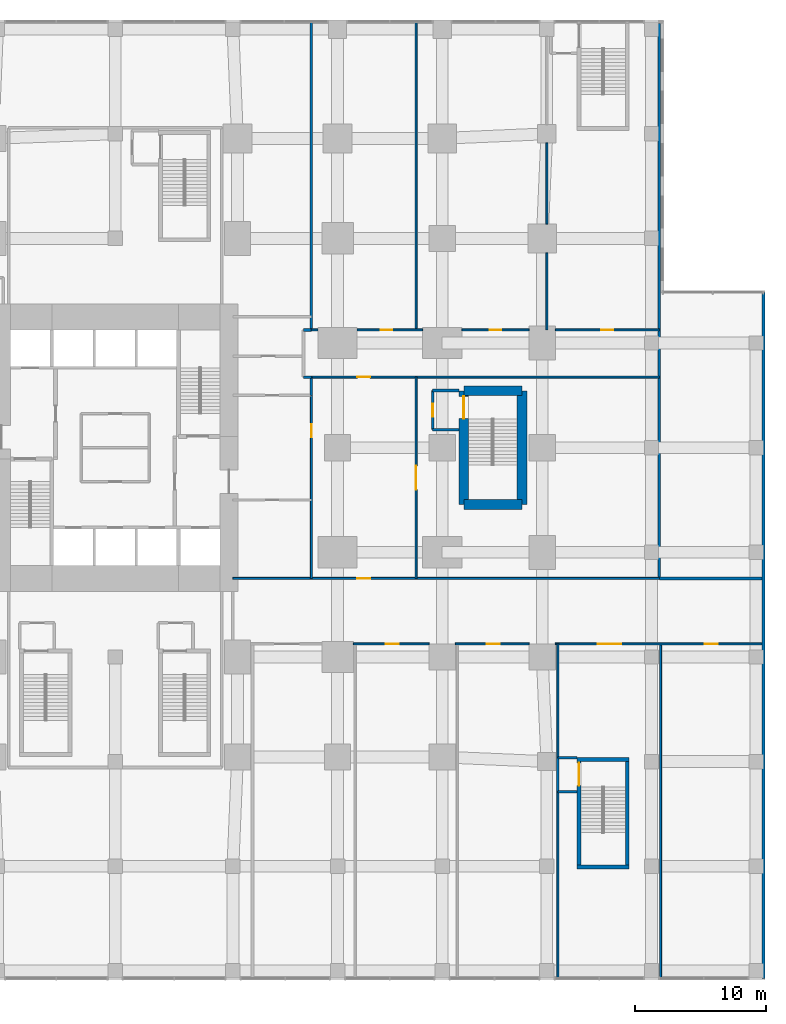
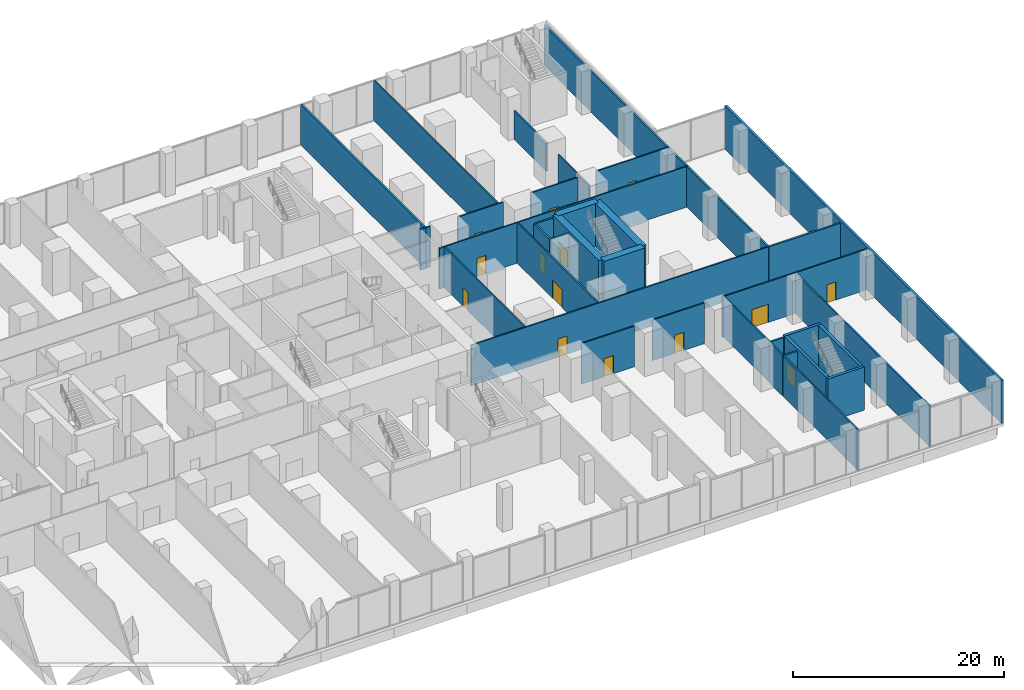
# One storey, part 16 of 22: 38 walls, 14 doors, 14 openings.
"""IFC4 building model written with IfcOpenShell, lengths in metres."""

from ifc_helpers import new_model, si_unit, direction, frame, frame_2d, origin, place, context, subcontext, project, spatial, rectangle, extrude, material, layer, layer_set, type_object, element, fill, save


model = new_model("IFC4")

# Units and contexts
model_context = context("Model", 3, precision=1e-05, world=origin(), true_north=direction((0.0, 1.0)))
body_context = subcontext(model_context, "Body", "Model", "MODEL_VIEW")
ifc_project = project(units=[si_unit("LENGTHUNIT", "METRE"), si_unit("AREAUNIT", "SQUARE_METRE"), si_unit("VOLUMEUNIT", "CUBIC_METRE"), si_unit("PLANEANGLEUNIT", "RADIAN"), si_unit("MASSUNIT", "GRAM", prefix="KILO")], contexts=[model_context])

# Site, building, storey
site_placement = place(None, origin())
site = spatial("IfcSite", under=ifc_project, at=site_placement, CompositionType="ELEMENT")
building_placement = place(site_placement, origin())
building = spatial("IfcBuilding", under=site, at=building_placement, Name="Cleftline Residences", CompositionType="ELEMENT")
storey_placement = place(building_placement, frame((0.0, 0.0, 6.0)))
storey = spatial("IfcBuildingStorey", under=building, at=storey_placement, Name="L01", CompositionType="ELEMENT", Elevation=6.0)

# Walls
ifc_material_1 = material(Name="Rendered reinforced concrete blockwork", Category="masonry")
ifc_layer_1 = layer(ifc_material_1, 0.25)
ifc_layer_set_1 = layer_set([ifc_layer_1], Name="EXTERNAL WALL 250")
wall_type_1 = type_object("IfcWallType", Name="EXTERNAL WALL 250", PredefinedType="SOLIDWALL", material=ifc_layer_set_1)
wall_1_placement = place(storey_placement, frame((82.574951171875, -16.574951171875, 0.0), z_axis=(0.0, 0.0, 1.0), x_axis=(0.0, 1.0, 0.0)))
element("IfcWall", 1, at=wall_1_placement, inside=storey, type_object=wall_type_1, Name="External wall", PredefinedType="SOLIDWALL", context=body_context, shape_type="SweptSolid", body=[
    extrude(rectangle(XDim=52.449951171875, YDim=0.25, at=frame_2d((26.22509765625, 0.0))), origin(), (0.0, 0.0, 1.0), 5.0),
])
ifc_material_2 = material(Name="Concrete blockwork, fire rated", Category="masonry")
ifc_layer_2 = layer(ifc_material_2, 0.199951171875)
ifc_layer_set_2 = layer_set([ifc_layer_2], Name="FIRE WALL 200")
wall_type_2 = type_object("IfcWallType", Name="FIRE WALL 200", PredefinedType="PARTITIONING", material=ifc_layer_set_2)
for number, where, z_axis, x_axis, name in (
    (2, (66.85009765625, -2.300048828125, 0.0), (0.0, 0.0, 1.0), (1.0, 0.0, 0.0), "Fire separating wall"),
    (3, (66.85009765625, 0.300048828125, 0.0), (0.0, 0.0, 1.0), (1.0, 0.0, 0.0), "Fire separating wall"),
):
    element("IfcWall", number, at=place(storey_placement, frame(where, z_axis=z_axis, x_axis=x_axis)), inside=storey, type_object=wall_type_2, Name=name, PredefinedType="PARTITIONING", context=body_context, shape_type="SweptSolid", body=[
        extrude(rectangle(XDim=1.449951171875, YDim=0.199951171875, at=frame_2d((0.72509765625, 0.0))), origin(), (0.0, 0.0, 1.0), 4.699951171875),
    ])
wall_2_placement = place(storey_placement, frame((74.60009765625, 14.0, 0.0), z_axis=(0.0, 0.0, 1.0), x_axis=(1.0, 0.0, 0.0)))
element("IfcWall", 4, at=wall_2_placement, inside=storey, type_object=wall_type_2, Name="Fire separating wall", PredefinedType="PARTITIONING", context=body_context, shape_type="SweptSolid", body=[
    extrude(rectangle(XDim=7.849853515625, YDim=0.199951171875, at=frame_2d((3.9248046875, 0.0))), origin(), (0.0, 0.0, 1.0), 4.699951171875),
])
for number, where, z_axis, x_axis, name in (
    (5, (57.27490234375, 25.375, 0.0), (0.0, 0.0, 1.0), (1.0, 0.0, 0.0), "Fire separating wall"),
    (6, (57.27490234375, 28.375, 0.0), (0.0, 0.0, 1.0), (1.0, 0.0, 0.0), "Fire separating wall"),
):
    element("IfcWall", number, at=place(storey_placement, frame(where, z_axis=z_axis, x_axis=x_axis)), inside=storey, type_object=wall_type_2, Name=name, PredefinedType="PARTITIONING", context=body_context, shape_type="SweptSolid", body=[
        extrude(rectangle(XDim=2.0, YDim=0.199951171875, at=frame_2d((1.0, 0.0))), origin(), (0.0, 0.0, 1.0), 4.699951171875),
    ])
for number, where, z_axis, x_axis, name in (
    (7, (47.39990234375, 29.39990234375, 0.0), (0.0, 0.0, 1.0), (1.0, 0.0, 0.0), "Fire separating wall"),
    (8, (47.39990234375, 33.0, 0.0), (0.0, 0.0, 1.0), (1.0, 0.0, 0.0), "Fire separating wall"),
):
    element("IfcWall", number, at=place(storey_placement, frame(where, z_axis=z_axis, x_axis=x_axis)), inside=storey, type_object=wall_type_2, Name=name, PredefinedType="PARTITIONING", context=body_context, shape_type="SweptSolid", body=[
        extrude(rectangle(XDim=0.60009765625, YDim=0.199951171875, at=frame_2d((0.300048828125, 0.0))), origin(), (0.0, 0.0, 1.0), 4.699951171875),
    ])
wall_3_placement = place(storey_placement, frame((48.0, 28.0, 0.0), z_axis=(0.0, 0.0, 1.0), x_axis=(0.0, 1.0, 0.0)))
element("IfcWall", 9, at=wall_3_placement, inside=storey, type_object=wall_type_2, Name="Fire separating wall", PredefinedType="PARTITIONING", context=body_context, shape_type="SweptSolid", body=[
    extrude(rectangle(XDim=1.39990234375, YDim=0.199951171875, at=frame_2d((0.699951171875, 0.0))), origin(), (0.0, 0.0, 1.0), 4.699951171875),
])
wall_4_placement = place(storey_placement, frame((48.0, 33.0, 0.0), z_axis=(0.0, 0.0, 1.0), x_axis=(0.0, 1.0, 0.0)))
element("IfcWall", 10, at=wall_4_placement, inside=storey, type_object=wall_type_2, Name="Fire separating wall", PredefinedType="PARTITIONING", context=body_context, shape_type="SweptSolid", body=[
    extrude(rectangle(XDim=23.56103515625, YDim=0.199951171875, at=frame_2d((11.780517578125, 0.0))), origin(), (0.0, 0.0, 1.0), 4.699951171875),
])

# Wall, opening, door
wall_5_placement = place(storey_placement, frame((57.27490234375, 25.375, 0.0), z_axis=(0.0, 0.0, 1.0), x_axis=(0.0, 1.0, 0.0)))
wall_5 = element("IfcWall", 11, at=wall_5_placement, inside=storey, type_object=wall_type_2, Name="Fire separating wall", PredefinedType="PARTITIONING", context=body_context, shape_type="SweptSolid", body=[
    extrude(rectangle(XDim=3.0, YDim=0.199951171875, at=frame_2d((1.5, 0.0))), origin(), (0.0, 0.0, 1.0), 4.699951171875),
])
opening_1_placement = place(wall_5_placement, frame((1.0, 0.0, 0.0)))
opening_1 = element("IfcOpeningElement", 12, at=opening_1_placement, cuts=wall_5, Name="Opening D2F60", PredefinedType="OPENING", context=body_context, shape_type="SweptSolid", body=[
    extrude(rectangle(XDim=1.0, YDim=2.10009765625, at=frame_2d((0.5, 1.050048828125))), frame((0.0, 0.10986328125, 0.0), z_axis=(0.0, -1.0, 0.0), x_axis=(1.0, 0.0, 0.0)), (0.0, 0.0, 1.0), 0.219970703125),
])
ifc_material_3 = material(Name="Timber veneer on solid core", Category="wood")
door_type_1 = type_object("IfcDoorType", Name="DOOR 1000X2100 EI 60", OperationType="SINGLE_SWING_LEFT", PredefinedType="DOOR", material=ifc_material_3)
door_1_placement = place(opening_1_placement, origin())
door_1 = element("IfcDoor", 13, at=door_1_placement, inside=storey, type_object=door_type_1, Name="Door to stair e lobby", OperationType="SINGLE_SWING_LEFT", OverallHeight=2.10009765625, OverallWidth=1.0, PredefinedType="DOOR", context=body_context, shape_type="SweptSolid", body=[
    extrude(rectangle(XDim=1.0, YDim=2.10009765625, at=frame_2d((0.5, 1.050048828125))), frame((0.0, 0.02490234375, 0.0), z_axis=(0.0, -1.0, 0.0), x_axis=(1.0, 0.0, 0.0)), (0.0, 0.0, 1.0), 0.050048828125),
])
fill(opening_1, door_1)

# Walls
wall_6_placement = place(storey_placement, frame((66.85009765625, -2.300048828125, 0.0), z_axis=(0.0, 0.0, 1.0), x_axis=(0.0, 1.0, 0.0)))
element("IfcWall", 14, at=wall_6_placement, inside=storey, type_object=wall_type_2, Name="Fire separating wall", PredefinedType="PARTITIONING", context=body_context, shape_type="SweptSolid", body=[
    extrude(rectangle(XDim=2.60009765625, YDim=0.199951171875, at=frame_2d((1.300048828125, 0.0))), origin(), (0.0, 0.0, 1.0), 4.699951171875),
])
wall_7_placement = place(storey_placement, frame((74.60009765625, 14.0, 0.0), z_axis=(0.0, 0.0, 1.0), x_axis=(0.0, 1.0, 0.0)))
element("IfcWall", 15, at=wall_7_placement, inside=storey, type_object=wall_type_2, Name="Fire separating wall", PredefinedType="PARTITIONING", context=body_context, shape_type="SweptSolid", body=[
    extrude(rectangle(XDim=42.449951171875, YDim=0.199951171875, at=frame_2d((21.22509765625, 0.0))), origin(), (0.0, 0.0, 1.0), 4.699951171875),
])

# Wall, opening, door
ifc_material_4 = material(Name="Gypsum board on steel studs", Category="steel")
ifc_layer_3 = layer(ifc_material_4, 0.14990234375)
ifc_layer_set_3 = layer_set([ifc_layer_3], Name="PARTITION 150")
wall_type_3 = type_object("IfcWallType", Name="PARTITION 150", PredefinedType="PARTITIONING", material=ifc_layer_set_3)
wall_8_placement = place(storey_placement, frame((51.199951171875, 9.0, 0.0), z_axis=(0.0, 0.0, 1.0), x_axis=(1.0, 0.0, 0.0)))
wall_8 = element("IfcWall", 16, at=wall_8_placement, inside=storey, type_object=wall_type_3, Name="Partition", PredefinedType="PARTITIONING", context=body_context, shape_type="SweptSolid", body=[
    extrude(rectangle(XDim=5.800048828125, YDim=0.14990234375, at=frame_2d((2.89990234375, 0.0))), origin(), (0.0, 0.0, 1.0), 4.699951171875),
])
opening_2_placement = place(wall_8_placement, frame((2.47509765625, 0.0, 0.0)))
opening_2 = element("IfcOpeningElement", 17, at=opening_2_placement, cuts=wall_8, Name="Opening D2", PredefinedType="OPENING", context=body_context, shape_type="SweptSolid", body=[
    extrude(rectangle(XDim=1.0, YDim=2.10009765625, at=frame_2d((0.5, 1.050048828125))), frame((0.0, 0.0849609375, 0.0), z_axis=(0.0, -1.0, 0.0), x_axis=(1.0, 0.0, 0.0)), (0.0, 0.0, 1.0), 0.169921875),
])
ifc_material_5 = material(Name="Timber veneer on solid core", Category="wood")
door_type_2 = type_object("IfcDoorType", Name="DOOR 1000X2100", OperationType="SINGLE_SWING_LEFT", PredefinedType="DOOR", material=ifc_material_5)
door_2_placement = place(opening_2_placement, origin())
door_2 = element("IfcDoor", 18, at=door_2_placement, inside=storey, type_object=door_type_2, Name="Door to co-working room", OperationType="SINGLE_SWING_LEFT", OverallHeight=2.10009765625, OverallWidth=1.0, PredefinedType="DOOR", context=body_context, shape_type="SweptSolid", body=[
    extrude(rectangle(XDim=1.0, YDim=2.10009765625, at=frame_2d((0.5, 1.050048828125))), frame((0.0, 0.02490234375, 0.0), z_axis=(0.0, -1.0, 0.0), x_axis=(1.0, 0.0, 0.0)), (0.0, 0.0, 1.0), 0.050048828125),
])
fill(opening_2, door_2)

wall_9_placement = place(storey_placement, frame((59.0, 9.0, 0.0), z_axis=(0.0, 0.0, 1.0), x_axis=(1.0, 0.0, 0.0)))
wall_9 = element("IfcWall", 19, at=wall_9_placement, inside=storey, type_object=wall_type_3, Name="Partition", PredefinedType="PARTITIONING", context=body_context, shape_type="SweptSolid", body=[
    extrude(rectangle(XDim=5.64990234375, YDim=0.14990234375, at=frame_2d((2.824951171875, 0.0))), origin(), (0.0, 0.0, 1.0), 4.699951171875),
])
opening_3_placement = place(wall_9_placement, frame((2.39990234375, 0.0, 0.0)))
opening_3 = element("IfcOpeningElement", 20, at=opening_3_placement, cuts=wall_9, Name="Opening D2", PredefinedType="OPENING", context=body_context, shape_type="SweptSolid", body=[
    extrude(rectangle(XDim=1.0, YDim=2.10009765625, at=frame_2d((0.5, 1.050048828125))), frame((0.0, 0.0849609375, 0.0), z_axis=(0.0, -1.0, 0.0), x_axis=(1.0, 0.0, 0.0)), (0.0, 0.0, 1.0), 0.169921875),
])
door_3_placement = place(opening_3_placement, origin())
door_3 = element("IfcDoor", 21, at=door_3_placement, inside=storey, type_object=door_type_2, Name="Door to meeting room", OperationType="SINGLE_SWING_LEFT", OverallHeight=2.10009765625, OverallWidth=1.0, PredefinedType="DOOR", context=body_context, shape_type="SweptSolid", body=[
    extrude(rectangle(XDim=1.0, YDim=2.10009765625, at=frame_2d((0.5, 1.050048828125))), frame((0.0, 0.02490234375, 0.0), z_axis=(0.0, -1.0, 0.0), x_axis=(1.0, 0.0, 0.0)), (0.0, 0.0, 1.0), 0.050048828125),
])
fill(opening_3, door_3)

# Wall, openings, doors
wall_10_placement = place(storey_placement, frame((66.64990234375, 9.0, 0.0), z_axis=(0.0, 0.0, 1.0), x_axis=(1.0, 0.0, 0.0)))
wall_10 = element("IfcWall", 22, at=wall_10_placement, inside=storey, type_object=wall_type_3, Name="Partition", PredefinedType="PARTITIONING", context=body_context, shape_type="SweptSolid", body=[
    extrude(rectangle(XDim=15.800048828125, YDim=0.14990234375, at=frame_2d((7.89990234375, 0.0))), origin(), (0.0, 0.0, 1.0), 4.699951171875),
])
opening_4_placement = place(wall_10_placement, frame((3.22509765625, 0.0, 0.0)))
opening_4 = element("IfcOpeningElement", 23, at=opening_4_placement, cuts=wall_10, Name="Opening D3", PredefinedType="OPENING", context=body_context, shape_type="SweptSolid", body=[
    extrude(rectangle(XDim=1.800048828125, YDim=2.10009765625, at=frame_2d((0.89990234375, 1.050048828125))), frame((0.0, 0.0849609375, 0.0), z_axis=(0.0, -1.0, 0.0), x_axis=(1.0, 0.0, 0.0)), (0.0, 0.0, 1.0), 0.169921875),
])
opening_5_placement = place(wall_10_placement, frame((11.425048828125, 0.0, 0.0)))
opening_5 = element("IfcOpeningElement", 24, at=opening_5_placement, cuts=wall_10, Name="Opening D2", PredefinedType="OPENING", context=body_context, shape_type="SweptSolid", body=[
    extrude(rectangle(XDim=1.0, YDim=2.10009765625, at=frame_2d((0.5, 1.050048828125))), frame((0.0, 0.0849609375, 0.0), z_axis=(0.0, -1.0, 0.0), x_axis=(1.0, 0.0, 0.0)), (0.0, 0.0, 1.0), 0.169921875),
])
door_4_placement = place(opening_5_placement, origin())
door_4 = element("IfcDoor", 25, at=door_4_placement, inside=storey, type_object=door_type_2, Name="Door to board room", OperationType="SINGLE_SWING_LEFT", OverallHeight=2.10009765625, OverallWidth=1.0, PredefinedType="DOOR", context=body_context, shape_type="SweptSolid", body=[
    extrude(rectangle(XDim=1.0, YDim=2.10009765625, at=frame_2d((0.5, 1.050048828125))), frame((0.0, 0.02490234375, 0.0), z_axis=(0.0, -1.0, 0.0), x_axis=(1.0, 0.0, 0.0)), (0.0, 0.0, 1.0), 0.050048828125),
])
fill(opening_5, door_4)
ifc_material_6 = material(Name="Timber veneer on solid core", Category="wood")
door_type_3 = type_object("IfcDoorType", Name="DOUBLE DOOR 1800X2100", OperationType="DOUBLE_DOOR_DOUBLE_SWING", PredefinedType="DOOR", material=ifc_material_6)
door_5_placement = place(opening_4_placement, origin())
door_5 = element("IfcDoor", 26, at=door_5_placement, inside=storey, type_object=door_type_3, Name="Door to conference room", OperationType="DOUBLE_DOOR_DOUBLE_SWING", OverallHeight=2.10009765625, OverallWidth=1.800048828125, PredefinedType="DOOR", context=body_context, shape_type="SweptSolid", body=[
    extrude(rectangle(XDim=1.800048828125, YDim=2.10009765625, at=frame_2d((0.89990234375, 1.050048828125))), frame((0.0, 0.02490234375, 0.0), z_axis=(0.0, -1.0, 0.0), x_axis=(1.0, 0.0, 0.0)), (0.0, 0.0, 1.0), 0.050048828125),
])
fill(opening_4, door_5)

# Wall, opening, door
wall_11_placement = place(storey_placement, frame((42.0, 14.0, 0.0), z_axis=(0.0, 0.0, 1.0), x_axis=(1.0, 0.0, 0.0)))
wall_11 = element("IfcWall", 27, at=wall_11_placement, inside=storey, type_object=wall_type_3, Name="Partition", PredefinedType="PARTITIONING", context=body_context, shape_type="SweptSolid", body=[
    extrude(rectangle(XDim=32.60009765625, YDim=0.14990234375, at=frame_2d((16.300048828125, 0.0))), origin(), (0.0, 0.0, 1.0), 4.699951171875),
])
opening_6_placement = place(wall_11_placement, frame((9.5, 0.0, 0.0)))
opening_6 = element("IfcOpeningElement", 28, at=opening_6_placement, cuts=wall_11, Name="Opening D2F30", PredefinedType="OPENING", context=body_context, shape_type="SweptSolid", body=[
    extrude(rectangle(XDim=1.0, YDim=2.10009765625, at=frame_2d((0.5, 1.050048828125))), frame((0.0, 0.0849609375, 0.0), z_axis=(0.0, -1.0, 0.0), x_axis=(1.0, 0.0, 0.0)), (0.0, 0.0, 1.0), 0.169921875),
])
ifc_material_7 = material(Name="Timber veneer on solid core", Category="wood")
door_type_4 = type_object("IfcDoorType", Name="DOOR 1000X2100 EI 30", OperationType="SINGLE_SWING_LEFT", PredefinedType="DOOR", material=ifc_material_7)
door_6_placement = place(opening_6_placement, origin())
door_6 = element("IfcDoor", 29, at=door_6_placement, inside=storey, type_object=door_type_4, Name="Door to business corridor", OperationType="SINGLE_SWING_RIGHT", OverallHeight=2.10009765625, OverallWidth=1.0, PredefinedType="DOOR", context=body_context, shape_type="SweptSolid", body=[
    extrude(rectangle(XDim=1.0, YDim=2.10009765625, at=frame_2d((0.5, 1.050048828125))), frame((0.0, 0.02490234375, 0.0), z_axis=(0.0, -1.0, 0.0), x_axis=(1.0, 0.0, 0.0)), (0.0, 0.0, 1.0), 0.050048828125),
])
fill(opening_6, door_6)

wall_12_placement = place(storey_placement, frame((48.0, 29.39990234375, 0.0), z_axis=(0.0, 0.0, 1.0), x_axis=(1.0, 0.0, 0.0)))
wall_12 = element("IfcWall", 30, at=wall_12_placement, inside=storey, type_object=wall_type_3, Name="Partition", PredefinedType="PARTITIONING", context=body_context, shape_type="SweptSolid", body=[
    extrude(rectangle(XDim=26.60009765625, YDim=0.14990234375, at=frame_2d((13.300048828125, 0.0))), origin(), (0.0, 0.0, 1.0), 4.699951171875),
])
opening_7_placement = place(wall_12_placement, frame((3.5, 0.0, 0.0)))
opening_7 = element("IfcOpeningElement", 31, at=opening_7_placement, cuts=wall_12, Name="Opening D2F30", PredefinedType="OPENING", context=body_context, shape_type="SweptSolid", body=[
    extrude(rectangle(XDim=1.0, YDim=2.10009765625, at=frame_2d((0.5, 1.050048828125))), frame((0.0, 0.0849609375, 0.0), z_axis=(0.0, -1.0, 0.0), x_axis=(1.0, 0.0, 0.0)), (0.0, 0.0, 1.0), 0.169921875),
])
door_7_placement = place(opening_7_placement, origin())
door_7 = element("IfcDoor", 32, at=door_7_placement, inside=storey, type_object=door_type_4, Name="Door to service corridor", OperationType="SINGLE_SWING_RIGHT", OverallHeight=2.10009765625, OverallWidth=1.0, PredefinedType="DOOR", context=body_context, shape_type="SweptSolid", body=[
    extrude(rectangle(XDim=1.0, YDim=2.10009765625, at=frame_2d((0.5, 1.050048828125))), frame((0.0, 0.02490234375, 0.0), z_axis=(0.0, -1.0, 0.0), x_axis=(1.0, 0.0, 0.0)), (0.0, 0.0, 1.0), 0.050048828125),
])
fill(opening_7, door_7)

# Wall
wall_13_placement = place(storey_placement, frame((48.0, 33.0, 0.0), z_axis=(0.0, 0.0, 1.0), x_axis=(1.0, 0.0, 0.0)))
element("IfcWall", 33, at=wall_13_placement, inside=storey, type_object=wall_type_3, Name="Partition", PredefinedType="PARTITIONING", context=body_context, shape_type="SweptSolid", body=[
    extrude(rectangle(XDim=0.5, YDim=0.14990234375, at=frame_2d((0.25, 0.0))), origin(), (0.0, 0.0, 1.0), 4.699951171875),
])

# Wall, opening, door
wall_14_placement = place(storey_placement, frame((51.5, 33.0, 0.0), z_axis=(0.0, 0.0, 1.0), x_axis=(1.0, 0.0, 0.0)))
wall_14 = element("IfcWall", 34, at=wall_14_placement, inside=storey, type_object=wall_type_3, Name="Partition", PredefinedType="PARTITIONING", context=body_context, shape_type="SweptSolid", body=[
    extrude(rectangle(XDim=5.0, YDim=0.14990234375, at=frame_2d((2.5, 0.0))), origin(), (0.0, 0.0, 1.0), 4.699951171875),
])
opening_8_placement = place(wall_14_placement, frame((1.800048828125, 0.0, 0.0)))
opening_8 = element("IfcOpeningElement", 35, at=opening_8_placement, cuts=wall_14, Name="Opening D1", PredefinedType="OPENING", context=body_context, shape_type="SweptSolid", body=[
    extrude(rectangle(XDim=0.89990234375, YDim=2.10009765625, at=frame_2d((0.449951171875, 1.050048828125))), frame((0.0, 0.0849609375, 0.0), z_axis=(0.0, -1.0, 0.0), x_axis=(1.0, 0.0, 0.0)), (0.0, 0.0, 1.0), 0.169921875),
])
ifc_material_8 = material(Name="Timber veneer on solid core", Category="wood")
door_type_5 = type_object("IfcDoorType", Name="DOOR 900X2100", OperationType="SINGLE_SWING_LEFT", PredefinedType="DOOR", material=ifc_material_8)
door_8_placement = place(opening_8_placement, origin())
door_8 = element("IfcDoor", 36, at=door_8_placement, inside=storey, type_object=door_type_5, Name="Door to catering pantry", OperationType="SINGLE_SWING_RIGHT", OverallHeight=2.10009765625, OverallWidth=0.89990234375, PredefinedType="DOOR", context=body_context, shape_type="SweptSolid", body=[
    extrude(rectangle(XDim=0.89990234375, YDim=2.10009765625, at=frame_2d((0.449951171875, 1.050048828125))), frame((0.0, 0.02490234375, 0.0), z_axis=(0.0, -1.0, 0.0), x_axis=(1.0, 0.0, 0.0)), (0.0, 0.0, 1.0), 0.050048828125),
])
fill(opening_8, door_8)

wall_15_placement = place(storey_placement, frame((59.5, 33.0, 0.0), z_axis=(0.0, 0.0, 1.0), x_axis=(1.0, 0.0, 0.0)))
wall_15 = element("IfcWall", 37, at=wall_15_placement, inside=storey, type_object=wall_type_3, Name="Partition", PredefinedType="PARTITIONING", context=body_context, shape_type="SweptSolid", body=[
    extrude(rectangle(XDim=5.14990234375, YDim=0.14990234375, at=frame_2d((2.574951171875, 0.0))), origin(), (0.0, 0.0, 1.0), 4.699951171875),
])
opening_9_placement = place(wall_15_placement, frame((2.125, 0.0, 0.0)))
opening_9 = element("IfcOpeningElement", 38, at=opening_9_placement, cuts=wall_15, Name="Opening D1", PredefinedType="OPENING", context=body_context, shape_type="SweptSolid", body=[
    extrude(rectangle(XDim=0.89990234375, YDim=2.10009765625, at=frame_2d((0.449951171875, 1.050048828125))), frame((0.0, 0.0849609375, 0.0), z_axis=(0.0, -1.0, 0.0), x_axis=(1.0, 0.0, 0.0)), (0.0, 0.0, 1.0), 0.169921875),
])
door_9_placement = place(opening_9_placement, origin())
door_9 = element("IfcDoor", 39, at=door_9_placement, inside=storey, type_object=door_type_5, Name="Door to catering kitchen", OperationType="SINGLE_SWING_LEFT", OverallHeight=2.10009765625, OverallWidth=0.89990234375, PredefinedType="DOOR", context=body_context, shape_type="SweptSolid", body=[
    extrude(rectangle(XDim=0.89990234375, YDim=2.10009765625, at=frame_2d((0.449951171875, 1.050048828125))), frame((0.0, 0.02490234375, 0.0), z_axis=(0.0, -1.0, 0.0), x_axis=(1.0, 0.0, 0.0)), (0.0, 0.0, 1.0), 0.050048828125),
])
fill(opening_9, door_9)

wall_16_placement = place(storey_placement, frame((66.64990234375, 33.0, 0.0), z_axis=(0.0, 0.0, 1.0), x_axis=(1.0, 0.0, 0.0)))
wall_16 = element("IfcWall", 40, at=wall_16_placement, inside=storey, type_object=wall_type_3, Name="Partition", PredefinedType="PARTITIONING", context=body_context, shape_type="SweptSolid", body=[
    extrude(rectangle(XDim=7.9501953125, YDim=0.14990234375, at=frame_2d((3.97509765625, 0.0))), origin(), (0.0, 0.0, 1.0), 4.699951171875),
])
opening_10_placement = place(wall_16_placement, frame((3.52490234375, 0.0, 0.0)))
opening_10 = element("IfcOpeningElement", 41, at=opening_10_placement, cuts=wall_16, Name="Opening D1", PredefinedType="OPENING", context=body_context, shape_type="SweptSolid", body=[
    extrude(rectangle(XDim=0.89990234375, YDim=2.10009765625, at=frame_2d((0.449951171875, 1.050048828125))), frame((0.0, 0.0849609375, 0.0), z_axis=(0.0, -1.0, 0.0), x_axis=(1.0, 0.0, 0.0)), (0.0, 0.0, 1.0), 0.169921875),
])
door_10_placement = place(opening_10_placement, origin())
door_10 = element("IfcDoor", 42, at=door_10_placement, inside=storey, type_object=door_type_5, Name="Door to function store", OperationType="SINGLE_SWING_LEFT", OverallHeight=2.10009765625, OverallWidth=0.89990234375, PredefinedType="DOOR", context=body_context, shape_type="SweptSolid", body=[
    extrude(rectangle(XDim=0.89990234375, YDim=2.10009765625, at=frame_2d((0.449951171875, 1.050048828125))), frame((0.0, 0.02490234375, 0.0), z_axis=(0.0, -1.0, 0.0), x_axis=(1.0, 0.0, 0.0)), (0.0, 0.0, 1.0), 0.050048828125),
])
fill(opening_10, door_10)

wall_17_placement = place(storey_placement, frame((48.0, 14.0, 0.0), z_axis=(0.0, 0.0, 1.0), x_axis=(0.0, 1.0, 0.0)))
wall_17 = element("IfcWall", 43, at=wall_17_placement, inside=storey, type_object=wall_type_3, Name="Partition", PredefinedType="PARTITIONING", context=body_context, shape_type="SweptSolid", body=[
    extrude(rectangle(XDim=14.0, YDim=0.14990234375, at=frame_2d((7.0, 0.0))), origin(), (0.0, 0.0, 1.0), 4.699951171875),
])
opening_11_placement = place(wall_17_placement, frame((10.800048828125, 0.0, 0.0)))
opening_11 = element("IfcOpeningElement", 44, at=opening_11_placement, cuts=wall_17, Name="Opening D2F30", PredefinedType="OPENING", context=body_context, shape_type="SweptSolid", body=[
    extrude(rectangle(XDim=1.0, YDim=2.10009765625, at=frame_2d((0.5, 1.050048828125))), frame((0.0, 0.0849609375, 0.0), z_axis=(0.0, -1.0, 0.0), x_axis=(1.0, 0.0, 0.0)), (0.0, 0.0, 1.0), 0.169921875),
])
door_11_placement = place(opening_11_placement, origin())
door_11 = element("IfcDoor", 45, at=door_11_placement, inside=storey, type_object=door_type_4, Name="Door to club lobby", OperationType="SINGLE_SWING_LEFT", OverallHeight=2.10009765625, OverallWidth=1.0, PredefinedType="DOOR", context=body_context, shape_type="SweptSolid", body=[
    extrude(rectangle(XDim=1.0, YDim=2.10009765625, at=frame_2d((0.5, 1.050048828125))), frame((0.0, 0.02490234375, 0.0), z_axis=(0.0, -1.0, 0.0), x_axis=(1.0, 0.0, 0.0)), (0.0, 0.0, 1.0), 0.050048828125),
])
fill(opening_11, door_11)

wall_18_placement = place(storey_placement, frame((56.0, 14.0, 0.0), z_axis=(0.0, 0.0, 1.0), x_axis=(0.0, 1.0, 0.0)))
wall_18 = element("IfcWall", 46, at=wall_18_placement, inside=storey, type_object=wall_type_3, Name="Partition", PredefinedType="PARTITIONING", context=body_context, shape_type="SweptSolid", body=[
    extrude(rectangle(XDim=15.39990234375, YDim=0.14990234375, at=frame_2d((7.699951171875, 0.0))), origin(), (0.0, 0.0, 1.0), 4.699951171875),
])
opening_12_placement = place(wall_18_placement, frame((6.800048828125, 0.0, 0.0)))
opening_12 = element("IfcOpeningElement", 47, at=opening_12_placement, cuts=wall_18, Name="Opening D3", PredefinedType="OPENING", context=body_context, shape_type="SweptSolid", body=[
    extrude(rectangle(XDim=1.800048828125, YDim=2.10009765625, at=frame_2d((0.89990234375, 1.050048828125))), frame((0.0, 0.0849609375, 0.0), z_axis=(0.0, -1.0, 0.0), x_axis=(1.0, 0.0, 0.0)), (0.0, 0.0, 1.0), 0.169921875),
])
door_12_placement = place(opening_12_placement, origin())
door_12 = element("IfcDoor", 48, at=door_12_placement, inside=storey, type_object=door_type_3, Name="Door to pre-function lounge", OperationType="DOUBLE_DOOR_DOUBLE_SWING", OverallHeight=2.10009765625, OverallWidth=1.800048828125, PredefinedType="DOOR", context=body_context, shape_type="SweptSolid", body=[
    extrude(rectangle(XDim=1.800048828125, YDim=2.10009765625, at=frame_2d((0.89990234375, 1.050048828125))), frame((0.0, 0.02490234375, 0.0), z_axis=(0.0, -1.0, 0.0), x_axis=(1.0, 0.0, 0.0)), (0.0, 0.0, 1.0), 0.050048828125),
])
fill(opening_12, door_12)

# Walls
wall_19_placement = place(storey_placement, frame((56.0, 33.0, 0.0), z_axis=(0.0, 0.0, 1.0), x_axis=(0.0, 1.0, 0.0)))
element("IfcWall", 49, at=wall_19_placement, inside=storey, type_object=wall_type_3, Name="Partition", PredefinedType="PARTITIONING", context=body_context, shape_type="SweptSolid", body=[
    extrude(rectangle(XDim=23.56103515625, YDim=0.14990234375, at=frame_2d((11.780517578125, 0.0))), origin(), (0.0, 0.0, 1.0), 4.699951171875),
])
wall_20_placement = place(storey_placement, frame((66.0, 33.0, 0.0), z_axis=(0.0, 0.0, 1.0), x_axis=(0.0, 1.0, 0.0)))
element("IfcWall", 50, at=wall_20_placement, inside=storey, type_object=wall_type_3, Name="Partition", PredefinedType="PARTITIONING", context=body_context, shape_type="SweptSolid", body=[
    extrude(rectangle(XDim=5.89990234375, YDim=0.14990234375, at=frame_2d((2.949951171875, 0.0))), origin(), (0.0, 0.0, 1.0), 3.300048828125),
])
wall_21_placement = place(storey_placement, frame((66.0, 41.10009765625, 0.0), z_axis=(0.0, 0.0, 1.0), x_axis=(0.0, 1.0, 0.0)))
element("IfcWall", 51, at=wall_21_placement, inside=storey, type_object=wall_type_3, Name="Partition", PredefinedType="PARTITIONING", context=body_context, shape_type="SweptSolid", body=[
    extrude(rectangle(XDim=6.199951171875, YDim=0.14990234375, at=frame_2d((3.10009765625, 0.0))), origin(), (0.0, 0.0, 1.0), 3.300048828125),
])
wall_22_placement = place(storey_placement, frame((66.85009765625, -16.56103515625, 0.0), z_axis=(0.0, 0.0, 1.0), x_axis=(0.0, 1.0, 0.0)))
element("IfcWall", 52, at=wall_22_placement, inside=storey, type_object=wall_type_3, Name="Partition", PredefinedType="PARTITIONING", context=body_context, shape_type="SweptSolid", body=[
    extrude(rectangle(XDim=14.260986328125, YDim=0.14990234375, at=frame_2d((7.13037109375, 0.0))), origin(), (0.0, 0.0, 1.0), 4.699951171875),
])
wall_23_placement = place(storey_placement, frame((66.85009765625, 0.300048828125, 0.0), z_axis=(0.0, 0.0, 1.0), x_axis=(0.0, 1.0, 0.0)))
element("IfcWall", 53, at=wall_23_placement, inside=storey, type_object=wall_type_3, Name="Partition", PredefinedType="PARTITIONING", context=body_context, shape_type="SweptSolid", body=[
    extrude(rectangle(XDim=8.699951171875, YDim=0.14990234375, at=frame_2d((4.35009765625, 0.0))), origin(), (0.0, 0.0, 1.0), 4.699951171875),
])
wall_24_placement = place(storey_placement, frame((74.699951171875, -16.56103515625, 0.0), z_axis=(0.0, 0.0, 1.0), x_axis=(0.0, 1.0, 0.0)))
element("IfcWall", 54, at=wall_24_placement, inside=storey, type_object=wall_type_3, Name="Partition", PredefinedType="PARTITIONING", context=body_context, shape_type="SweptSolid", body=[
    extrude(rectangle(XDim=25.56103515625, YDim=0.14990234375, at=frame_2d((12.780517578125, 0.0))), origin(), (0.0, 0.0, 1.0), 4.699951171875),
])
ifc_material_9 = material(Name="Concrete B70", Category="concrete")
ifc_layer_4 = layer(ifc_material_9, 0.75)
ifc_layer_set_4 = layer_set([ifc_layer_4], Name="SHEAR WALL 750")
wall_type_4 = type_object("IfcWallType", Name="SHEAR WALL 750", PredefinedType="SHEAR", material=ifc_layer_set_4)
wall_25_placement = place(storey_placement, frame((59.64990234375, 19.64990234375, 0.0), z_axis=(0.0, 0.0, 1.0), x_axis=(1.0, 0.0, 0.0)))
element("IfcWall", 55, at=wall_25_placement, inside=storey, type_object=wall_type_4, Name="Wing shear wall", PredefinedType="SHEAR", context=body_context, shape_type="SweptSolid", body=[
    extrude(rectangle(XDim=4.4501953125, YDim=0.75, at=frame_2d((2.22509765625, 0.0))), origin(), (0.0, 0.0, 1.0), 5.0),
])
wall_26_placement = place(storey_placement, frame((64.10009765625, 19.64990234375, 0.0), z_axis=(0.0, 0.0, 1.0), x_axis=(0.0, 1.0, 0.0)))
element("IfcWall", 56, at=wall_26_placement, inside=storey, type_object=wall_type_4, Name="Wing shear wall", PredefinedType="SHEAR", context=body_context, shape_type="SweptSolid", body=[
    extrude(rectangle(XDim=8.7001953125, YDim=0.75, at=frame_2d((4.35009765625, 0.0))), origin(), (0.0, 0.0, 1.0), 5.0),
])
wall_27_placement = place(storey_placement, frame((64.10009765625, 28.35009765625, 0.0), z_axis=(0.0, 0.0, 1.0), x_axis=(-1.0, 0.0, 0.0)))
element("IfcWall", 57, at=wall_27_placement, inside=storey, type_object=wall_type_4, Name="Wing shear wall", PredefinedType="SHEAR", context=body_context, shape_type="SweptSolid", body=[
    extrude(rectangle(XDim=4.4501953125, YDim=0.75, at=frame_2d((2.22509765625, 0.0))), origin(), (0.0, 0.0, 1.0), 5.0),
])

# Wall, opening, door
wall_28_placement = place(storey_placement, frame((59.64990234375, 28.35009765625, 0.0), z_axis=(0.0, 0.0, 1.0), x_axis=(0.0, -1.0, 0.0)))
wall_28 = element("IfcWall", 58, at=wall_28_placement, inside=storey, type_object=wall_type_4, Name="Wing shear wall", PredefinedType="SHEAR", context=body_context, shape_type="SweptSolid", body=[
    extrude(rectangle(XDim=8.7001953125, YDim=0.75, at=frame_2d((4.35009765625, 0.0))), origin(), (0.0, 0.0, 1.0), 5.0),
])
opening_13_placement = place(wall_28_placement, frame((0.425048828125, 0.0, 0.0)))
opening_13 = element("IfcOpeningElement", 59, at=opening_13_placement, cuts=wall_28, Name="Opening D10", PredefinedType="OPENING", context=body_context, shape_type="SweptSolid", body=[
    extrude(rectangle(XDim=1.699951171875, YDim=2.10009765625, at=frame_2d((0.85009765625, 1.050048828125))), frame((0.0, 0.385009765625, 0.0), z_axis=(0.0, -1.0, 0.0), x_axis=(1.0, 0.0, 0.0)), (0.0, 0.0, 1.0), 0.77001953125),
])
ifc_material_10 = material(Name="Steel", Category="steel")
door_type_6 = type_object("IfcDoorType", Name="STAIR DOOR 1700X2100", OperationType="DOUBLE_DOOR_SINGLE_SWING", PredefinedType="DOOR", material=ifc_material_10)
door_13_placement = place(opening_13_placement, origin())
door_13 = element("IfcDoor", 60, at=door_13_placement, inside=storey, type_object=door_type_6, Name="Stair E door", OperationType="DOUBLE_DOOR_SINGLE_SWING", OverallHeight=2.10009765625, OverallWidth=1.699951171875, PredefinedType="DOOR", context=body_context, shape_type="SweptSolid", body=[
    extrude(rectangle(XDim=1.699951171875, YDim=2.10009765625, at=frame_2d((0.85009765625, 1.050048828125))), frame((0.0, 0.02490234375, 0.0), z_axis=(0.0, -1.0, 0.0), x_axis=(1.0, 0.0, 0.0)), (0.0, 0.0, 1.0), 0.050048828125),
])
fill(opening_13, door_13)

# Walls
ifc_material_11 = material(Name="Concrete blockwork, fire rated", Category="masonry")
ifc_layer_5 = layer(ifc_material_11, 0.300048828125)
ifc_layer_set_5 = layer_set([ifc_layer_5], Name="STAIR ENCLOSURE WALL 300")
wall_type_5 = type_object("IfcWallType", Name="STAIR ENCLOSURE WALL 300", PredefinedType="PARTITIONING", material=ifc_layer_set_5)
for number, where, z_axis, x_axis, name in (
    (61, (68.300048828125, -8.050048828125, 0.0), (0.0, 0.0, 1.0), (1.0, 0.0, 0.0), "Stair PS-S enclosure"),
    (62, (68.300048828125, 0.14990234375, 0.0), (0.0, 0.0, 1.0), (1.0, 0.0, 0.0), "Stair PS-S enclosure"),
):
    element("IfcWall", number, at=place(storey_placement, frame(where, z_axis=z_axis, x_axis=x_axis)), inside=storey, type_object=wall_type_5, Name=name, PredefinedType="PARTITIONING", context=body_context, shape_type="SweptSolid", body=[
        extrude(rectangle(XDim=4.0, YDim=0.300048828125, at=frame_2d((2.0, 0.0))), origin(), (0.0, 0.0, 1.0), 5.0),
    ])

# Wall, opening, door
wall_29_placement = place(storey_placement, frame((68.449951171875, -7.89990234375, 0.0), z_axis=(0.0, 0.0, 1.0), x_axis=(0.0, 1.0, 0.0)))
wall_29 = element("IfcWall", 63, at=wall_29_placement, inside=storey, type_object=wall_type_5, Name="Stair PS-S enclosure", PredefinedType="PARTITIONING", context=body_context, shape_type="SweptSolid", body=[
    extrude(rectangle(XDim=7.89990234375, YDim=0.300048828125, at=frame_2d((3.949951171875, 0.0))), origin(), (0.0, 0.0, 1.0), 5.0),
])
opening_14_placement = place(wall_29_placement, frame((6.070068359375, 0.0, 0.0)))
opening_14 = element("IfcOpeningElement", 64, at=opening_14_placement, cuts=wall_29, Name="Opening D11", PredefinedType="OPENING", context=body_context, shape_type="SweptSolid", body=[
    extrude(rectangle(XDim=1.72998046875, YDim=2.10009765625, at=frame_2d((0.864990234375, 1.050048828125))), frame((0.0, 0.159912109375, 0.0), z_axis=(0.0, -1.0, 0.0), x_axis=(1.0, 0.0, 0.0)), (0.0, 0.0, 1.0), 0.320068359375),
])
ifc_material_12 = material(Name="Steel", Category="steel")
door_type_7 = type_object("IfcDoorType", Name="STAIR DOOR 1730X2100", OperationType="DOUBLE_DOOR_SINGLE_SWING", PredefinedType="DOOR", material=ifc_material_12)
door_14_placement = place(opening_14_placement, origin())
door_14 = element("IfcDoor", 65, at=door_14_placement, inside=storey, type_object=door_type_7, Name="Stair PS-S door", OperationType="DOUBLE_DOOR_SINGLE_SWING", OverallHeight=2.10009765625, OverallWidth=1.72998046875, PredefinedType="DOOR", context=body_context, shape_type="SweptSolid", body=[
    extrude(rectangle(XDim=1.72998046875, YDim=2.10009765625, at=frame_2d((0.864990234375, 1.050048828125))), frame((0.0, 0.02490234375, 0.0), z_axis=(0.0, -1.0, 0.0), x_axis=(1.0, 0.0, 0.0)), (0.0, 0.0, 1.0), 0.050048828125),
])
fill(opening_14, door_14)

# Wall
wall_30_placement = place(storey_placement, frame((72.14990234375, -7.89990234375, 0.0), z_axis=(0.0, 0.0, 1.0), x_axis=(0.0, 1.0, 0.0)))
element("IfcWall", 66, at=wall_30_placement, inside=storey, type_object=wall_type_5, Name="Stair PS-S enclosure", PredefinedType="PARTITIONING", context=body_context, shape_type="SweptSolid", body=[
    extrude(rectangle(XDim=7.89990234375, YDim=0.300048828125, at=frame_2d((3.949951171875, 0.0))), origin(), (0.0, 0.0, 1.0), 5.0),
])

save(model, "model.ifc")
